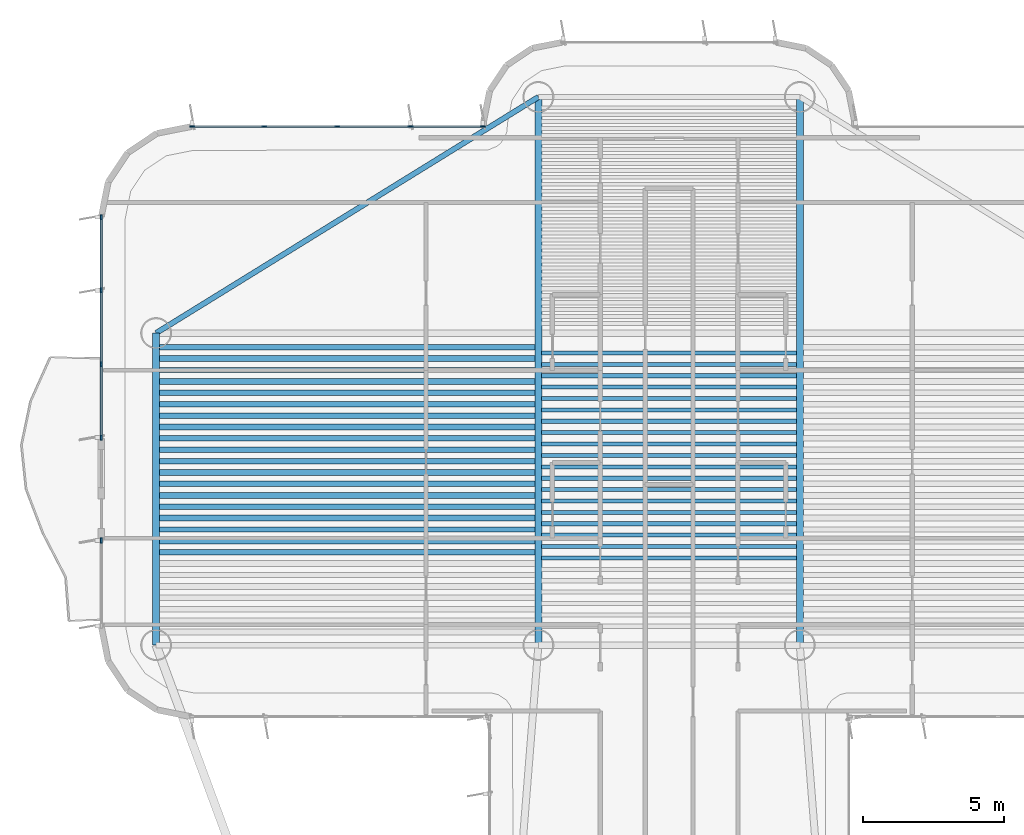
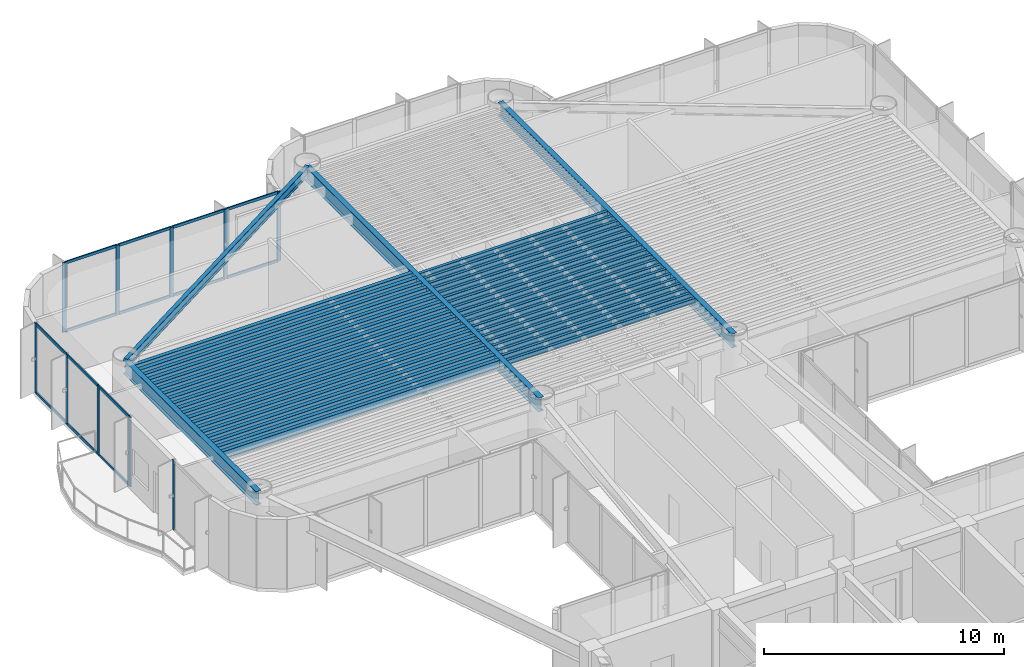
# One storey, part 5 of 15: 42 beams, 24 members, 3 elements without a shape of their own.
"""IFC4 building model written with IfcOpenShell, lengths in metres."""

from ifc_helpers import new_model, si_unit, direction, frame, origin, origin_2d, place, context, subcontext, project, spatial, rectangle, i_section, extrude, source, transform, mapped, material, layer, layer_set, material_profile, profile_set, type_object, element, aggregate, save


model = new_model("IFC4")

# Units and contexts
model_context = context("Model", 3, precision=1e-05, world=origin(), true_north=direction((0.0, 1.0)))
body_context = subcontext(model_context, "Body", "Model", "MODEL_VIEW")
ifc_project = project(units=[si_unit("LENGTHUNIT", "METRE"), si_unit("AREAUNIT", "SQUARE_METRE"), si_unit("VOLUMEUNIT", "CUBIC_METRE"), si_unit("PLANEANGLEUNIT", "RADIAN"), si_unit("MASSUNIT", "GRAM", prefix="KILO")], contexts=[model_context])

# Site, building, storey
site_placement = place(None, origin())
site = spatial("IfcSite", under=ifc_project, at=site_placement, CompositionType="ELEMENT")
building_placement = place(site_placement, origin())
building = spatial("IfcBuilding", under=site, at=building_placement, Name="Brelvock Crest Care Tower", CompositionType="ELEMENT")
storey_placement = place(building_placement, frame((0.0, 0.0, 171.5400390625)))
storey = spatial("IfcBuildingStorey", under=building, at=storey_placement, Name="L43", CompositionType="ELEMENT", Elevation=171.5400390625)

# Beams
ifc_material_1 = material(Name="Steel Grade 350", Category="steel")
ifc_material_profile_1 = material_profile(ifc_material_1, i_section(OverallWidth=0.14599609375, OverallDepth=0.256103515625, WebThickness=0.00634765625, FlangeThickness=0.010986328125, FilletRadius=0.0087890625, at=origin_2d()), Name="250UB37.3")
ifc_profile_set_1 = profile_set([ifc_material_profile_1], Name="Steel Grade 350")
beam_type_1 = type_object("IfcBeamType", Name="BM-J3", PredefinedType="JOIST", material=ifc_profile_set_1)
shared_shape_1 = source(origin(), body_context, "Body", "SweptSolid", [
    extrude(i_section(OverallWidth=0.14599609375, OverallDepth=0.256103515625, WebThickness=0.00634765625, FlangeThickness=0.010986328125, FilletRadius=0.0087890625, at=origin_2d()), origin(), (0.0, 0.0, 1.0), 9.06982421875),
])
for number, where, z_axis, x_axis, name in (
    (1, (31.465087890625, 38.0498046875, 3.40185546875), (1.0, 0.0, 0.0), (0.0, 1.0, 0.0), "BM-JH-L43-7"),
    (2, (31.465087890625, 38.454833984375, 3.40185546875), (1.0, 0.0, 0.0), (0.0, 1.0, 0.0), "BM-JH-L43-8"),
    (3, (31.465087890625, 38.860107421875, 3.40185546875), (1.0, 0.0, 0.0), (0.0, 1.0, 0.0), "BM-JH-L43-9"),
    (4, (31.465087890625, 39.26513671875, 3.40185546875), (1.0, 0.0, 0.0), (0.0, 1.0, 0.0), "BM-JH-L43-10"),
    (5, (31.465087890625, 39.67041015625, 3.40185546875), (1.0, 0.0, 0.0), (0.0, 1.0, 0.0), "BM-JH-L43-11"),
    (6, (31.465087890625, 40.075439453125, 3.40185546875), (1.0, 0.0, 0.0), (0.0, 1.0, 0.0), "BM-JH-L43-12"),
    (7, (31.465087890625, 40.480712890625, 3.40185546875), (1.0, 0.0, 0.0), (0.0, 1.0, 0.0), "BM-JH-L43-13"),
    (8, (31.465087890625, 40.8857421875, 3.40185546875), (1.0, 0.0, 0.0), (0.0, 1.0, 0.0), "BM-JH-L43-14"),
    (9, (31.465087890625, 41.291015625, 3.40185546875), (1.0, 0.0, 0.0), (0.0, 1.0, 0.0), "BM-JH-L43-15"),
    (10, (31.465087890625, 41.696044921875, 3.40185546875), (1.0, 0.0, 0.0), (0.0, 1.0, 0.0), "BM-JH-L43-16"),
    (11, (31.465087890625, 42.101318359375, 3.40185546875), (1.0, 0.0, 0.0), (0.0, 1.0, 0.0), "BM-JH-L43-17"),
    (12, (31.465087890625, 42.50634765625, 3.40185546875), (1.0, 0.0, 0.0), (0.0, 1.0, 0.0), "BM-JH-L43-18"),
    (13, (31.465087890625, 42.91162109375, 3.40185546875), (1.0, 0.0, 0.0), (0.0, 1.0, 0.0), "BM-JH-L43-19"),
    (14, (31.465087890625, 43.316650390625, 3.40185546875), (1.0, 0.0, 0.0), (0.0, 1.0, 0.0), "BM-JH-L43-20"),
    (15, (31.465087890625, 43.7216796875, 3.40185546875), (1.0, 0.0, 0.0), (0.0, 1.0, 0.0), "BM-JH-L43-21"),
    (16, (31.465087890625, 44.126953125, 3.40185546875), (1.0, 0.0, 0.0), (0.0, 1.0, 0.0), "BM-JH-L43-22"),
    (17, (31.465087890625, 44.531982421875, 3.40185546875), (1.0, 0.0, 0.0), (0.0, 1.0, 0.0), "BM-JH-L43-23"),
    (18, (31.465087890625, 44.937255859375, 3.40185546875), (1.0, 0.0, 0.0), (0.0, 1.0, 0.0), "BM-JH-L43-24"),
    (19, (31.465087890625, 45.34228515625, 3.40185546875), (1.0, 0.0, 0.0), (0.0, 1.0, 0.0), "BM-JH-L43-25"),
):
    element("IfcBeam", number, at=place(storey_placement, frame(where, z_axis=z_axis, x_axis=x_axis)), inside=storey, type_object=beam_type_1, Name=name, PredefinedType="JOIST", context=body_context, shape_type="MappedRepresentation", body=[
        mapped(shared_shape_1, transform((0.0, 0.0, 0.0), x_axis=(1.0, 0.0, 0.0), y_axis=(0.0, 1.0, 0.0), z_axis=(0.0, 0.0, 1.0), scale=1.0)),
    ])
ifc_material_profile_2 = material_profile(ifc_material_1, i_section(OverallWidth=0.208984375, OverallDepth=0.532958984375, WebThickness=0.01025390625, FlangeThickness=0.015625, FilletRadius=0.013916015625, at=origin_2d()), Name="530UB92.4")
ifc_profile_set_2 = profile_set([ifc_material_profile_2], Name="Steel Grade 350")
beam_type_2 = type_object("IfcBeamType", Name="BM-G2", PredefinedType="BEAM", material=ifc_profile_set_2)
shared_shape_2 = source(origin(), body_context, "Body", "SweptSolid", [
    extrude(i_section(OverallWidth=0.208984375, OverallDepth=0.532958984375, WebThickness=0.01025390625, FlangeThickness=0.015625, FilletRadius=0.013916015625, at=origin_2d()), origin(), (0.0, 0.0, 1.0), 13.3701171875),
])
for number, where, z_axis, x_axis, name in (
    (20, (17.864990234375, 38.657470703125, 3.263427734375), (1.0, 0.0, 0.0), (0.0, 1.0, 0.0), "BM-JW-L43-9"),
    (21, (17.864990234375, 39.4677734375, 3.263427734375), (1.0, 0.0, 0.0), (0.0, 1.0, 0.0), "BM-JW-L43-11"),
    (22, (17.864990234375, 40.278076171875, 3.263427734375), (1.0, 0.0, 0.0), (0.0, 1.0, 0.0), "BM-JW-L43-13"),
    (23, (17.864990234375, 41.08837890625, 3.263427734375), (1.0, 0.0, 0.0), (0.0, 1.0, 0.0), "BM-JW-L43-15"),
    (24, (17.864990234375, 41.898681640625, 3.263427734375), (1.0, 0.0, 0.0), (0.0, 1.0, 0.0), "BM-JW-L43-17"),
    (25, (17.864990234375, 42.708984375, 3.263427734375), (1.0, 0.0, 0.0), (0.0, 1.0, 0.0), "BM-JW-L43-19"),
    (26, (17.864990234375, 43.519287109375, 3.263427734375), (1.0, 0.0, 0.0), (0.0, 1.0, 0.0), "BM-JW-L43-21"),
    (27, (17.864990234375, 44.32958984375, 3.263427734375), (1.0, 0.0, 0.0), (0.0, 1.0, 0.0), "BM-JW-L43-23"),
    (28, (17.864990234375, 45.139892578125, 3.263427734375), (1.0, 0.0, 0.0), (0.0, 1.0, 0.0), "BM-JW-L43-25"),
):
    element("IfcBeam", number, at=place(storey_placement, frame(where, z_axis=z_axis, x_axis=x_axis)), inside=storey, type_object=beam_type_2, Name=name, PredefinedType="BEAM", context=body_context, shape_type="MappedRepresentation", body=[
        mapped(shared_shape_2, transform((0.0, 0.0, 0.0), x_axis=(1.0, 0.0, 0.0), y_axis=(0.0, 1.0, 0.0), z_axis=(0.0, 0.0, 1.0), scale=1.0)),
    ])
ifc_material_profile_3 = material_profile(ifc_material_1, i_section(OverallWidth=0.19091796875, OverallDepth=0.4599609375, WebThickness=0.010009765625, FlangeThickness=0.01611328125, FilletRadius=0.011474609375, at=origin_2d()), Name="460UB82.1")
ifc_profile_set_3 = profile_set([ifc_material_profile_3], Name="Steel Grade 350")
beam_type_3 = type_object("IfcBeamType", Name="BM-G3", PredefinedType="BEAM", material=ifc_profile_set_3)
shared_shape_3 = source(origin(), body_context, "Body", "SweptSolid", [
    extrude(i_section(OverallWidth=0.19091796875, OverallDepth=0.4599609375, WebThickness=0.010009765625, FlangeThickness=0.01611328125, FilletRadius=0.011474609375, at=origin_2d()), origin(), (0.0, 0.0, 1.0), 13.3701171875),
])
for number, where, z_axis, x_axis, name in (
    (29, (17.864990234375, 38.252197265625, 3.300048828125), (1.0, 0.0, 0.0), (0.0, 1.0, 0.0), "BM-JW-L43-8"),
    (30, (17.864990234375, 39.0625, 3.300048828125), (1.0, 0.0, 0.0), (0.0, 1.0, 0.0), "BM-JW-L43-10"),
    (31, (17.864990234375, 39.872802734375, 3.300048828125), (1.0, 0.0, 0.0), (0.0, 1.0, 0.0), "BM-JW-L43-12"),
    (32, (17.864990234375, 40.68310546875, 3.300048828125), (1.0, 0.0, 0.0), (0.0, 1.0, 0.0), "BM-JW-L43-14"),
    (33, (17.864990234375, 41.493408203125, 3.300048828125), (1.0, 0.0, 0.0), (0.0, 1.0, 0.0), "BM-JW-L43-16"),
    (34, (17.864990234375, 42.3037109375, 3.300048828125), (1.0, 0.0, 0.0), (0.0, 1.0, 0.0), "BM-JW-L43-18"),
    (35, (17.864990234375, 43.114013671875, 3.300048828125), (1.0, 0.0, 0.0), (0.0, 1.0, 0.0), "BM-JW-L43-20"),
    (36, (17.864990234375, 43.92431640625, 3.300048828125), (1.0, 0.0, 0.0), (0.0, 1.0, 0.0), "BM-JW-L43-22"),
    (37, (17.864990234375, 44.734619140625, 3.300048828125), (1.0, 0.0, 0.0), (0.0, 1.0, 0.0), "BM-JW-L43-24"),
    (38, (17.864990234375, 45.544921875, 3.300048828125), (1.0, 0.0, 0.0), (0.0, 1.0, 0.0), "BM-JW-L43-26"),
):
    element("IfcBeam", number, at=place(storey_placement, frame(where, z_axis=z_axis, x_axis=x_axis)), inside=storey, type_object=beam_type_3, Name=name, PredefinedType="BEAM", context=body_context, shape_type="MappedRepresentation", body=[
        mapped(shared_shape_3, transform((0.0, 0.0, 0.0), x_axis=(1.0, 0.0, 0.0), y_axis=(0.0, 1.0, 0.0), z_axis=(0.0, 0.0, 1.0), scale=1.0)),
    ])
ifc_material_profile_4 = material_profile(ifc_material_1, i_section(OverallWidth=0.25, OverallDepth=0.699951171875, WebThickness=0.011962890625, FlangeThickness=0.02001953125, at=origin_2d()), Name="700WB150")
ifc_profile_set_4 = profile_set([ifc_material_profile_4], Name="Steel Grade 350")
beam_type_4 = type_object("IfcBeamType", Name="BM-G4", PredefinedType="BEAM", material=ifc_profile_set_4)
shared_shape_4 = source(origin(), body_context, "Body", "SweptSolid", [
    extrude(i_section(OverallWidth=0.25, OverallDepth=0.699951171875, WebThickness=0.011962890625, FlangeThickness=0.02001953125, at=origin_2d()), origin(), (0.0, 0.0, 1.0), 11.10009765625),
])
beam_1_placement = place(storey_placement, frame((17.75, 34.949951171875, 3.179931640625), z_axis=(0.0, 1.0, 0.0), x_axis=(-1.0, 0.0, 0.0)))
element("IfcBeam", 39, at=beam_1_placement, inside=storey, type_object=beam_type_4, Name="BM-TWR-L43-01", PredefinedType="BEAM", context=body_context, shape_type="MappedRepresentation", body=[
    mapped(shared_shape_4, transform((0.0, 0.0, 0.0), x_axis=(1.0, 0.0, 0.0), y_axis=(0.0, 1.0, 0.0), z_axis=(0.0, 0.0, 1.0), scale=1.0)),
])
ifc_material_profile_5 = material_profile(ifc_material_1, i_section(OverallWidth=0.19091796875, OverallDepth=0.4599609375, WebThickness=0.010009765625, FlangeThickness=0.01611328125, FilletRadius=0.011474609375, at=origin_2d()), Name="460UB82.1")
ifc_profile_set_5 = profile_set([ifc_material_profile_5], Name="Steel Grade 350")
beam_type_5 = type_object("IfcBeamType", Name="BM-SP2", PredefinedType="SPANDREL", material=ifc_profile_set_5)
shared_shape_5 = source(origin(), body_context, "Body", "SweptSolid", [
    extrude(i_section(OverallWidth=0.19091796875, OverallDepth=0.4599609375, WebThickness=0.010009765625, FlangeThickness=0.01611328125, FilletRadius=0.011474609375, at=origin_2d()), origin(), (0.0, 0.0, 1.0), 15.985107421875),
])
beam_2_placement = place(storey_placement, frame((17.75, 46.050048828125, 3.300048828125), z_axis=(0.850802415717, 0.525485727124, 0.0), x_axis=(-0.525485727124, 0.850802415717, 0.0)))
element("IfcBeam", 40, at=beam_2_placement, inside=storey, type_object=beam_type_5, Name="BM-TWR-L43-06", PredefinedType="SPANDREL", context=body_context, shape_type="MappedRepresentation", body=[
    mapped(shared_shape_5, transform((0.0, 0.0, 0.0), x_axis=(1.0, 0.0, 0.0), y_axis=(0.0, 1.0, 0.0), z_axis=(0.0, 0.0, 1.0), scale=1.0)),
])
shared_shape_6 = source(origin(), body_context, "Body", "SweptSolid", [
    extrude(i_section(OverallWidth=0.25, OverallDepth=0.699951171875, WebThickness=0.011962890625, FlangeThickness=0.02001953125, at=origin_2d()), origin(), (0.0, 0.0, 1.0), 19.5),
])
for number, where, z_axis, x_axis, name in (
    (41, (31.35009765625, 34.949951171875, 3.179931640625), (0.0, 1.0, 0.0), (-1.0, 0.0, 0.0), "BM-TWR-L43-09"),
    (42, (40.64990234375, 34.949951171875, 3.179931640625), (0.0, 1.0, 0.0), (-1.0, 0.0, 0.0), "BM-TWR-L43-10"),
):
    element("IfcBeam", number, at=place(storey_placement, frame(where, z_axis=z_axis, x_axis=x_axis)), inside=storey, type_object=beam_type_4, Name=name, PredefinedType="BEAM", context=body_context, shape_type="MappedRepresentation", body=[
        mapped(shared_shape_6, transform((0.0, 0.0, 0.0), x_axis=(1.0, 0.0, 0.0), y_axis=(0.0, 1.0, 0.0), z_axis=(0.0, 0.0, 1.0), scale=1.0)),
    ])

# Curtain wall, member
ifc_material_2 = material(Name="Dark Glass Double Glazed Low-E", Category="glass")
ifc_layer = layer(ifc_material_2, 0.22509765625, Name="CWS-4")
ifc_layer_set = layer_set([ifc_layer], Name="Dark Glass Double Glazed Low-E")
curtain_wall_type = type_object("IfcCurtainWallType", Name="CWS-4", PredefinedType="NOTDEFINED", material=ifc_layer_set)
curtain_wall_1_placement = place(storey_placement, origin())
curtain_wall_1 = element("IfcCurtainWall", 43, at=curtain_wall_1_placement, inside=storey, type_object=curtain_wall_type, Name="L43 Curtain Wall E17A", PredefinedType="NOTDEFINED")
ifc_material_3 = material(Name="Aluminium 6063-T6", Category="aluminium")
ifc_material_profile_6 = material_profile(ifc_material_3, rectangle(XDim=0.06005859375, YDim=0.179931640625, at=origin_2d()), Name="ALU60x180")
ifc_profile_set_6 = profile_set([ifc_material_profile_6], Name="Aluminium 6063-T6")
member_type_1 = type_object("IfcMemberType", Name="CWM-2", PredefinedType="MULLION", material=ifc_profile_set_6)
shared_shape_7 = source(origin(), body_context, "Body", "SweptSolid", [
    extrude(rectangle(XDim=0.06005859375, YDim=0.179931640625, at=origin_2d()), origin(), (0.0, 0.0, 1.0), 3.530029296875),
])
member_1_placement = place(storey_placement, frame((15.800048828125, 38.669921875, 0.0), z_axis=(0.0, 0.0, 1.0), x_axis=(-1.0, 0.0, 0.0)))
member_1 = element("IfcMember", 44, at=member_1_placement, type_object=member_type_1, Name="CW-4 mullion 2", PredefinedType="MULLION", context=body_context, shape_type="MappedRepresentation", body=[
    mapped(shared_shape_7, transform((0.0, 0.0, 0.0), x_axis=(1.0, 0.0, 0.0), y_axis=(0.0, 1.0, 0.0), z_axis=(0.0, 0.0, 1.0), scale=1.0)),
])
aggregate(curtain_wall_1, [member_1])

# Curtain wall, members
curtain_wall_2_placement = place(storey_placement, origin())
curtain_wall_2 = element("IfcCurtainWall", 45, at=curtain_wall_2_placement, inside=storey, type_object=curtain_wall_type, Name="L43 Curtain Wall E17B", PredefinedType="NOTDEFINED")
member_2_placement = place(storey_placement, frame((15.800048828125, 42.330078125, 0.0), z_axis=(0.0, 0.0, 1.0), x_axis=(-1.0, 0.0, 0.0)))
member_2 = element("IfcMember", 46, at=member_2_placement, type_object=member_type_1, Name="CW-4 mullion 1", PredefinedType="MULLION", context=body_context, shape_type="MappedRepresentation", body=[
    mapped(shared_shape_7, transform((0.0, 0.0, 0.0), x_axis=(1.0, 0.0, 0.0), y_axis=(0.0, 1.0, 0.0), z_axis=(0.0, 0.0, 1.0), scale=1.0)),
])
member_3_placement = place(storey_placement, frame((15.800048828125, 44.933349609375, 0.0), z_axis=(0.0, 0.0, 1.0), x_axis=(-1.0, 0.0, 0.0)))
member_3 = element("IfcMember", 47, at=member_3_placement, type_object=member_type_1, Name="CW-4 mullion 2", PredefinedType="MULLION", context=body_context, shape_type="MappedRepresentation", body=[
    mapped(shared_shape_7, transform((0.0, 0.0, 0.0), x_axis=(1.0, 0.0, 0.0), y_axis=(0.0, 1.0, 0.0), z_axis=(0.0, 0.0, 1.0), scale=1.0)),
])
member_4_placement = place(storey_placement, frame((15.800048828125, 47.566650390625, 0.0), z_axis=(0.0, 0.0, 1.0), x_axis=(-1.0, 0.0, 0.0)))
member_4 = element("IfcMember", 48, at=member_4_placement, type_object=member_type_1, Name="CW-4 mullion 3", PredefinedType="MULLION", context=body_context, shape_type="MappedRepresentation", body=[
    mapped(shared_shape_7, transform((0.0, 0.0, 0.0), x_axis=(1.0, 0.0, 0.0), y_axis=(0.0, 1.0, 0.0), z_axis=(0.0, 0.0, 1.0), scale=1.0)),
])
member_5_placement = place(storey_placement, frame((15.800048828125, 50.169921875, 0.0), z_axis=(0.0, 0.0, 1.0), x_axis=(-1.0, 0.0, 0.0)))
member_5 = element("IfcMember", 49, at=member_5_placement, type_object=member_type_1, Name="CW-4 mullion 4", PredefinedType="MULLION", context=body_context, shape_type="MappedRepresentation", body=[
    mapped(shared_shape_7, transform((0.0, 0.0, 0.0), x_axis=(1.0, 0.0, 0.0), y_axis=(0.0, 1.0, 0.0), z_axis=(0.0, 0.0, 1.0), scale=1.0)),
])

curtain_wall_3_placement = place(storey_placement, origin())
curtain_wall_3 = element("IfcCurtainWall", 50, at=curtain_wall_3_placement, inside=storey, type_object=curtain_wall_type, Name="L43 Curtain Wall E22", PredefinedType="NOTDEFINED")
member_6_placement = place(storey_placement, frame((19.030029296875, 53.39990234375, 0.0), z_axis=(0.0, 0.0, 1.0), x_axis=(0.0, 1.0, 0.0)))
member_6 = element("IfcMember", 51, at=member_6_placement, type_object=member_type_1, Name="CW-4 mullion 1", PredefinedType="MULLION", context=body_context, shape_type="MappedRepresentation", body=[
    mapped(shared_shape_7, transform((0.0, 0.0, 0.0), x_axis=(1.0, 0.0, 0.0), y_axis=(0.0, 1.0, 0.0), z_axis=(0.0, 0.0, 1.0), scale=1.0)),
])
member_7_placement = place(storey_placement, frame((21.60009765625, 53.39990234375, 0.0), z_axis=(0.0, 0.0, 1.0), x_axis=(0.0, 1.0, 0.0)))
member_7 = element("IfcMember", 52, at=member_7_placement, type_object=member_type_1, Name="CW-4 mullion 2", PredefinedType="MULLION", context=body_context, shape_type="MappedRepresentation", body=[
    mapped(shared_shape_7, transform((0.0, 0.0, 0.0), x_axis=(1.0, 0.0, 0.0), y_axis=(0.0, 1.0, 0.0), z_axis=(0.0, 0.0, 1.0), scale=1.0)),
])
member_8_placement = place(storey_placement, frame((24.199951171875, 53.39990234375, 0.0), z_axis=(0.0, 0.0, 1.0), x_axis=(0.0, 1.0, 0.0)))
member_8 = element("IfcMember", 53, at=member_8_placement, type_object=member_type_1, Name="CW-4 mullion 3", PredefinedType="MULLION", context=body_context, shape_type="MappedRepresentation", body=[
    mapped(shared_shape_7, transform((0.0, 0.0, 0.0), x_axis=(1.0, 0.0, 0.0), y_axis=(0.0, 1.0, 0.0), z_axis=(0.0, 0.0, 1.0), scale=1.0)),
])
member_9_placement = place(storey_placement, frame((26.800048828125, 53.39990234375, 0.0), z_axis=(0.0, 0.0, 1.0), x_axis=(0.0, 1.0, 0.0)))
member_9 = element("IfcMember", 54, at=member_9_placement, type_object=member_type_1, Name="CW-4 mullion 4", PredefinedType="MULLION", context=body_context, shape_type="MappedRepresentation", body=[
    mapped(shared_shape_7, transform((0.0, 0.0, 0.0), x_axis=(1.0, 0.0, 0.0), y_axis=(0.0, 1.0, 0.0), z_axis=(0.0, 0.0, 1.0), scale=1.0)),
])
member_10_placement = place(storey_placement, frame((29.3701171875, 53.39990234375, 0.0), z_axis=(0.0, 0.0, 1.0), x_axis=(0.0, 1.0, 0.0)))
member_10 = element("IfcMember", 55, at=member_10_placement, type_object=member_type_1, Name="CW-4 mullion 5", PredefinedType="MULLION", context=body_context, shape_type="MappedRepresentation", body=[
    mapped(shared_shape_7, transform((0.0, 0.0, 0.0), x_axis=(1.0, 0.0, 0.0), y_axis=(0.0, 1.0, 0.0), z_axis=(0.0, 0.0, 1.0), scale=1.0)),
])
ifc_material_profile_7 = material_profile(ifc_material_3, rectangle(XDim=0.06005859375, YDim=0.139892578125, at=origin_2d()), Name="ALU60x140")
ifc_profile_set_7 = profile_set([ifc_material_profile_7], Name="Aluminium 6063-T6")
member_type_2 = type_object("IfcMemberType", Name="CWT-2", PredefinedType="USERDEFINED", material=ifc_profile_set_7)
shared_shape_8 = source(origin(), body_context, "Body", "SweptSolid", [
    extrude(rectangle(XDim=0.06005859375, YDim=0.139892578125, at=origin_2d()), origin(), (0.0, 0.0, 1.0), 2.510009765625),
])
member_11_placement = place(storey_placement, frame((19.06005859375, 53.39990234375, 0.030029296875), z_axis=(1.0, 0.0, 0.0), x_axis=(0.0, 1.0, 0.0)))
member_11 = element("IfcMember", 56, at=member_11_placement, type_object=member_type_2, Name="CW-4 transom 1.1", ObjectType="TRANSOM", PredefinedType="USERDEFINED", context=body_context, shape_type="MappedRepresentation", body=[
    mapped(shared_shape_8, transform((0.0, 0.0, 0.0), x_axis=(1.0, 0.0, 0.0), y_axis=(0.0, 1.0, 0.0), z_axis=(0.0, 0.0, 1.0), scale=1.0)),
])
member_12_placement = place(storey_placement, frame((19.06005859375, 53.39990234375, 3.5), z_axis=(1.0, 0.0, 0.0), x_axis=(0.0, 1.0, 0.0)))
member_12 = element("IfcMember", 57, at=member_12_placement, type_object=member_type_2, Name="CW-4 transom 1.2", ObjectType="TRANSOM", PredefinedType="USERDEFINED", context=body_context, shape_type="MappedRepresentation", body=[
    mapped(shared_shape_8, transform((0.0, 0.0, 0.0), x_axis=(1.0, 0.0, 0.0), y_axis=(0.0, 1.0, 0.0), z_axis=(0.0, 0.0, 1.0), scale=1.0)),
])
member_13_placement = place(storey_placement, frame((26.830078125, 53.39990234375, 0.030029296875), z_axis=(1.0, 0.0, 0.0), x_axis=(0.0, 1.0, 0.0)))
member_13 = element("IfcMember", 58, at=member_13_placement, type_object=member_type_2, Name="CW-4 transom 4.1", ObjectType="TRANSOM", PredefinedType="USERDEFINED", context=body_context, shape_type="MappedRepresentation", body=[
    mapped(shared_shape_8, transform((0.0, 0.0, 0.0), x_axis=(1.0, 0.0, 0.0), y_axis=(0.0, 1.0, 0.0), z_axis=(0.0, 0.0, 1.0), scale=1.0)),
])
member_14_placement = place(storey_placement, frame((26.830078125, 53.39990234375, 3.5), z_axis=(1.0, 0.0, 0.0), x_axis=(0.0, 1.0, 0.0)))
member_14 = element("IfcMember", 59, at=member_14_placement, type_object=member_type_2, Name="CW-4 transom 4.2", ObjectType="TRANSOM", PredefinedType="USERDEFINED", context=body_context, shape_type="MappedRepresentation", body=[
    mapped(shared_shape_8, transform((0.0, 0.0, 0.0), x_axis=(1.0, 0.0, 0.0), y_axis=(0.0, 1.0, 0.0), z_axis=(0.0, 0.0, 1.0), scale=1.0)),
])
shared_shape_9 = source(origin(), body_context, "Body", "SweptSolid", [
    extrude(rectangle(XDim=0.06005859375, YDim=0.139892578125, at=origin_2d()), origin(), (0.0, 0.0, 1.0), 2.5400390625),
])
member_15_placement = place(storey_placement, frame((21.6298828125, 53.39990234375, 0.030029296875), z_axis=(1.0, 0.0, 0.0), x_axis=(0.0, 1.0, 0.0)))
member_15 = element("IfcMember", 60, at=member_15_placement, type_object=member_type_2, Name="CW-4 transom 2.1", ObjectType="TRANSOM", PredefinedType="USERDEFINED", context=body_context, shape_type="MappedRepresentation", body=[
    mapped(shared_shape_9, transform((0.0, 0.0, 0.0), x_axis=(1.0, 0.0, 0.0), y_axis=(0.0, 1.0, 0.0), z_axis=(0.0, 0.0, 1.0), scale=1.0)),
])
member_16_placement = place(storey_placement, frame((21.6298828125, 53.39990234375, 3.5), z_axis=(1.0, 0.0, 0.0), x_axis=(0.0, 1.0, 0.0)))
member_16 = element("IfcMember", 61, at=member_16_placement, type_object=member_type_2, Name="CW-4 transom 2.2", ObjectType="TRANSOM", PredefinedType="USERDEFINED", context=body_context, shape_type="MappedRepresentation", body=[
    mapped(shared_shape_9, transform((0.0, 0.0, 0.0), x_axis=(1.0, 0.0, 0.0), y_axis=(0.0, 1.0, 0.0), z_axis=(0.0, 0.0, 1.0), scale=1.0)),
])
member_17_placement = place(storey_placement, frame((24.22998046875, 53.39990234375, 0.030029296875), z_axis=(1.0, 0.0, 0.0), x_axis=(0.0, 1.0, 0.0)))
member_17 = element("IfcMember", 62, at=member_17_placement, type_object=member_type_2, Name="CW-4 transom 3.1", ObjectType="TRANSOM", PredefinedType="USERDEFINED", context=body_context, shape_type="MappedRepresentation", body=[
    mapped(shared_shape_9, transform((0.0, 0.0, 0.0), x_axis=(1.0, 0.0, 0.0), y_axis=(0.0, 1.0, 0.0), z_axis=(0.0, 0.0, 1.0), scale=1.0)),
])
member_18_placement = place(storey_placement, frame((24.22998046875, 53.39990234375, 3.5), z_axis=(1.0, 0.0, 0.0), x_axis=(0.0, 1.0, 0.0)))
member_18 = element("IfcMember", 63, at=member_18_placement, type_object=member_type_2, Name="CW-4 transom 3.2", ObjectType="TRANSOM", PredefinedType="USERDEFINED", context=body_context, shape_type="MappedRepresentation", body=[
    mapped(shared_shape_9, transform((0.0, 0.0, 0.0), x_axis=(1.0, 0.0, 0.0), y_axis=(0.0, 1.0, 0.0), z_axis=(0.0, 0.0, 1.0), scale=1.0)),
])
aggregate(curtain_wall_3, [member_6, member_7, member_8, member_9, member_10, member_11, member_12, member_15, member_16, member_17, member_18, member_13, member_14])

# Member
shared_shape_10 = source(origin(), body_context, "Body", "SweptSolid", [
    extrude(rectangle(XDim=0.06005859375, YDim=0.139892578125, at=origin_2d()), origin(), (0.0, 0.0, 1.0), 2.543212890625),
])
member_19_placement = place(storey_placement, frame((15.800048828125, 42.360107421875, 0.030029296875), z_axis=(0.0, 1.0, 0.0), x_axis=(-1.0, 0.0, 0.0)))
member_19 = element("IfcMember", 64, at=member_19_placement, type_object=member_type_2, Name="CW-4 transom 1.1", ObjectType="TRANSOM", PredefinedType="USERDEFINED", context=body_context, shape_type="MappedRepresentation", body=[
    mapped(shared_shape_10, transform((0.0, 0.0, 0.0), x_axis=(1.0, 0.0, 0.0), y_axis=(0.0, 1.0, 0.0), z_axis=(0.0, 0.0, 1.0), scale=1.0)),
])

member_20_placement = place(storey_placement, frame((15.800048828125, 42.360107421875, 3.5), z_axis=(0.0, 1.0, 0.0), x_axis=(-1.0, 0.0, 0.0)))
member_20 = element("IfcMember", 65, at=member_20_placement, type_object=member_type_2, Name="CW-4 transom 1.2", ObjectType="TRANSOM", PredefinedType="USERDEFINED", context=body_context, shape_type="MappedRepresentation", body=[
    mapped(shared_shape_10, transform((0.0, 0.0, 0.0), x_axis=(1.0, 0.0, 0.0), y_axis=(0.0, 1.0, 0.0), z_axis=(0.0, 0.0, 1.0), scale=1.0)),
])

member_21_placement = place(storey_placement, frame((15.800048828125, 47.5966796875, 0.030029296875), z_axis=(0.0, 1.0, 0.0), x_axis=(-1.0, 0.0, 0.0)))
member_21 = element("IfcMember", 66, at=member_21_placement, type_object=member_type_2, Name="CW-4 transom 3.1", ObjectType="TRANSOM", PredefinedType="USERDEFINED", context=body_context, shape_type="MappedRepresentation", body=[
    mapped(shared_shape_10, transform((0.0, 0.0, 0.0), x_axis=(1.0, 0.0, 0.0), y_axis=(0.0, 1.0, 0.0), z_axis=(0.0, 0.0, 1.0), scale=1.0)),
])

member_22_placement = place(storey_placement, frame((15.800048828125, 47.5966796875, 3.5), z_axis=(0.0, 1.0, 0.0), x_axis=(-1.0, 0.0, 0.0)))
member_22 = element("IfcMember", 67, at=member_22_placement, type_object=member_type_2, Name="CW-4 transom 3.2", ObjectType="TRANSOM", PredefinedType="USERDEFINED", context=body_context, shape_type="MappedRepresentation", body=[
    mapped(shared_shape_10, transform((0.0, 0.0, 0.0), x_axis=(1.0, 0.0, 0.0), y_axis=(0.0, 1.0, 0.0), z_axis=(0.0, 0.0, 1.0), scale=1.0)),
])

shared_shape_11 = source(origin(), body_context, "Body", "SweptSolid", [
    extrude(rectangle(XDim=0.06005859375, YDim=0.139892578125, at=origin_2d()), origin(), (0.0, 0.0, 1.0), 2.5732421875),
])
member_23_placement = place(storey_placement, frame((15.800048828125, 44.96337890625, 0.030029296875), z_axis=(0.0, 1.0, 0.0), x_axis=(-1.0, 0.0, 0.0)))
member_23 = element("IfcMember", 68, at=member_23_placement, type_object=member_type_2, Name="CW-4 transom 2.1", ObjectType="TRANSOM", PredefinedType="USERDEFINED", context=body_context, shape_type="MappedRepresentation", body=[
    mapped(shared_shape_11, transform((0.0, 0.0, 0.0), x_axis=(1.0, 0.0, 0.0), y_axis=(0.0, 1.0, 0.0), z_axis=(0.0, 0.0, 1.0), scale=1.0)),
])

member_24_placement = place(storey_placement, frame((15.800048828125, 44.96337890625, 3.5), z_axis=(0.0, 1.0, 0.0), x_axis=(-1.0, 0.0, 0.0)))
member_24 = element("IfcMember", 69, at=member_24_placement, type_object=member_type_2, Name="CW-4 transom 2.2", ObjectType="TRANSOM", PredefinedType="USERDEFINED", context=body_context, shape_type="MappedRepresentation", body=[
    mapped(shared_shape_11, transform((0.0, 0.0, 0.0), x_axis=(1.0, 0.0, 0.0), y_axis=(0.0, 1.0, 0.0), z_axis=(0.0, 0.0, 1.0), scale=1.0)),
])

aggregate(curtain_wall_2, [member_2, member_3, member_4, member_5, member_19, member_20, member_23, member_24, member_21, member_22])

save(model, "model.ifc")
